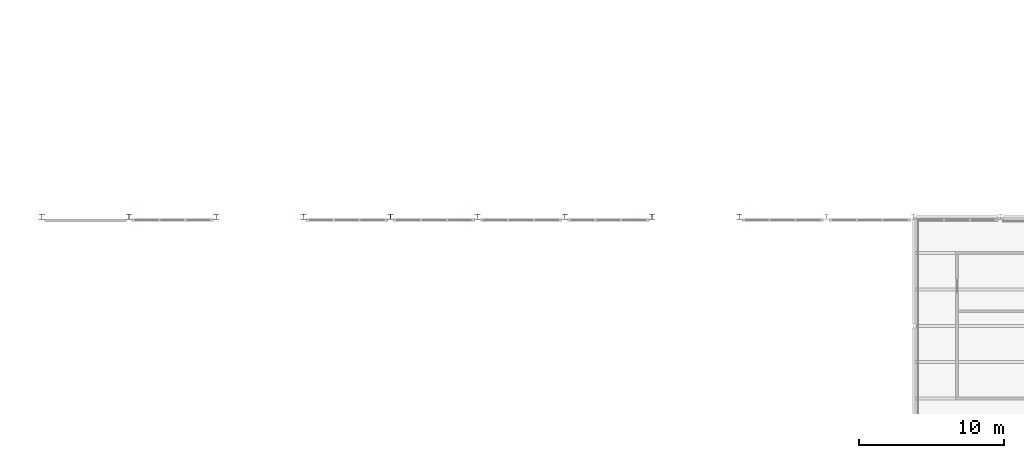
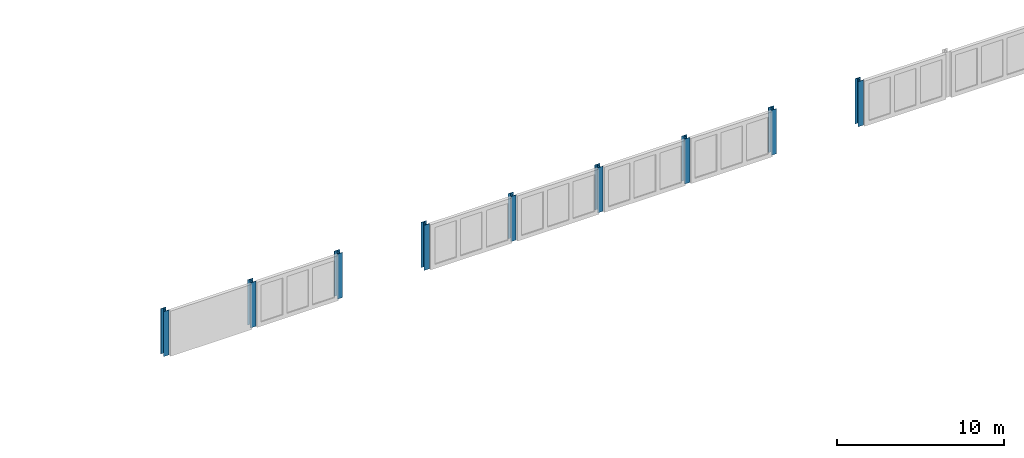
# One storey, part 4 of 214: 9 columns.
"""IFC4 building model written with IfcOpenShell, lengths in metres."""

from ifc_helpers import new_model, si_unit, direction, frame, origin, origin_2d, place, context, subcontext, project, spatial, i_section, extrude, material, material_profile, profile_set, type_object, element, save


model = new_model("IFC4")

# Units and contexts
model_context = context("Model", 3, precision=1e-05, world=origin(), true_north=direction((0.0, 1.0)))
body_context = subcontext(model_context, "Body", "Model", "MODEL_VIEW")
ifc_project = project(units=[si_unit("LENGTHUNIT", "METRE"), si_unit("AREAUNIT", "SQUARE_METRE"), si_unit("VOLUMEUNIT", "CUBIC_METRE"), si_unit("PLANEANGLEUNIT", "RADIAN"), si_unit("MASSUNIT", "GRAM", prefix="KILO")], contexts=[model_context])

# Site, building, storey
site_placement = place(None, origin())
site = spatial("IfcSite", under=ifc_project, at=site_placement, CompositionType="ELEMENT")
building_placement = place(site_placement, origin())
building = spatial("IfcBuilding", under=site, at=building_placement, Name="Parallax Yard Mobility Hub", CompositionType="ELEMENT")
storey_placement = place(building_placement, frame((0.0, 0.0, 3.300048828125)))
storey = spatial("IfcBuildingStorey", under=building, at=storey_placement, Name="L01", CompositionType="ELEMENT", Elevation=3.300048828125)

# Columns
ifc_material = material(Name="Steel ASTM A992", Category="steel")
ifc_material_profile = material_profile(ifc_material, i_section(OverallWidth=0.373046875, OverallDepth=0.367919921875, WebThickness=0.014892578125, FlangeThickness=0.02392578125, FilletRadius=0.01513671875, at=origin_2d()), Name="W360x179")
ifc_profile_set = profile_set([ifc_material_profile], Name="Steel ASTM A992")
column_type = type_object("IfcColumnType", Name="W360x179 column", PredefinedType="COLUMN", material=ifc_profile_set)
for number, where, z_axis, x_axis, name in (
    (1, (9.0, 52.5, 0.0), (0.0, 0.0, 1.0), (1.0, 0.0, 0.0), "Column C7 level L01 at F1/H of bus and taxi deck"),
    (2, (15.0, 52.5, 0.0), (0.0, 0.0, 1.0), (1.0, 0.0, 0.0), "Column C7 level L01 at F2/H of bus and taxi deck"),
    (3, (21.0, 52.5, 0.0), (0.0, 0.0, 1.0), (1.0, 0.0, 0.0), "Column C7 level L01 at F3/H of bus and taxi deck"),
    (4, (27.0, 52.5, 0.0), (0.0, 0.0, 1.0), (1.0, 0.0, 0.0), "Column C7 level L01 at F4/H of bus and taxi deck"),
    (5, (33.0, 52.5, 0.0), (0.0, 0.0, 1.0), (1.0, 0.0, 0.0), "Column C7 level L01 at F5/H of bus and taxi deck"),
    (6, (39.0, 52.5, 0.0), (0.0, 0.0, 1.0), (1.0, 0.0, 0.0), "Column C7 level L01 at F6/H of bus and taxi deck"),
    (7, (45.0, 52.5, 0.0), (0.0, 0.0, 1.0), (1.0, 0.0, 0.0), "Column C7 level L01 at F7/H of bus and taxi deck"),
    (8, (51.0, 52.5, 0.0), (0.0, 0.0, 1.0), (1.0, 0.0, 0.0), "Column C7 level L01 at F8/H of bus and taxi deck"),
    (9, (57.0, 52.5, 0.0), (0.0, 0.0, 1.0), (1.0, 0.0, 0.0), "Column C7 level L01 at F9/H of bus and taxi deck"),
):
    element("IfcColumn", number, at=place(storey_placement, frame(where, z_axis=z_axis, x_axis=x_axis)), inside=storey, type_object=column_type, Name=name, PredefinedType="COLUMN", context=body_context, shape_type="SweptSolid", body=[
        extrude(i_section(OverallWidth=0.373046875, OverallDepth=0.367919921875, WebThickness=0.014892578125, FlangeThickness=0.02392578125, FilletRadius=0.01513671875, at=origin_2d()), origin(), (0.0, 0.0, 1.0), 3.300048828125),
    ])

save(model, "model.ifc")
